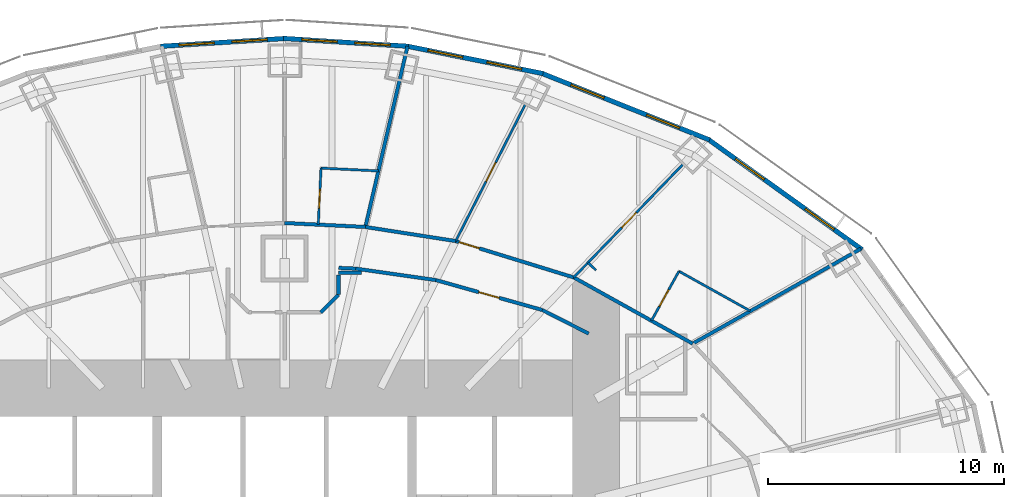
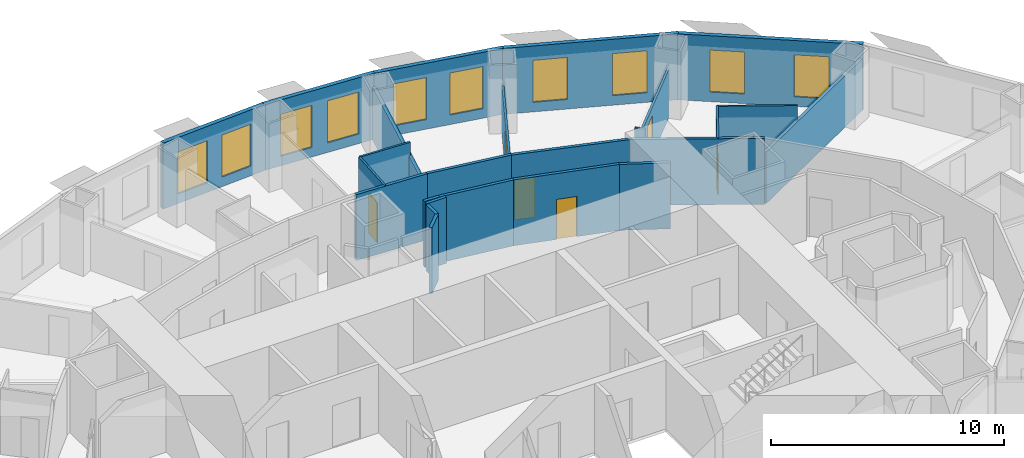
# One storey, part 10 of 15: 25 walls, 10 windows, 6 doors, 16 openings.
"""IFC4 building model written with IfcOpenShell, lengths in metres."""

from ifc_helpers import new_model, si_unit, direction, frame, frame_2d, origin, place, context, subcontext, project, spatial, rectangle, extrude, material, layer, layer_set, type_object, element, fill, save


model = new_model("IFC4")

# Units and contexts
model_context = context("Model", 3, precision=1e-05, world=origin(), true_north=direction((0.0, 1.0)))
body_context = subcontext(model_context, "Body", "Model", "MODEL_VIEW")
ifc_project = project(units=[si_unit("LENGTHUNIT", "METRE"), si_unit("AREAUNIT", "SQUARE_METRE"), si_unit("VOLUMEUNIT", "CUBIC_METRE"), si_unit("PLANEANGLEUNIT", "RADIAN"), si_unit("MASSUNIT", "GRAM", prefix="KILO")], contexts=[model_context])

# Site, building, storey
site_placement = place(None, origin())
site = spatial("IfcSite", under=ifc_project, at=site_placement, CompositionType="ELEMENT")
building_placement = place(site_placement, origin())
building = spatial("IfcBuilding", under=site, at=building_placement, Name="Lantaw Convention Tower", CompositionType="ELEMENT")
storey_placement = place(building_placement, frame((0.0, 0.0, 98.199951171875)))
storey = spatial("IfcBuildingStorey", under=building, at=storey_placement, Name="L23", CompositionType="ELEMENT", Elevation=98.199951171875)

# Walls
ifc_material_1 = material(Name="Gypsum board on steel studs", Category="steel")
ifc_layer_1 = layer(ifc_material_1, 0.14990234375)
ifc_layer_set_1 = layer_set([ifc_layer_1], Name="Back of house wall 150")
wall_type_1 = type_object("IfcWallType", Name="Back of house wall 150", PredefinedType="PARTITIONING", material=ifc_layer_set_1)
wall_1_placement = place(storey_placement, frame((3.2578125, 12.89990234375, 0.0), z_axis=(0.0, 0.0, 1.0), x_axis=(-1.0, 0.0, 0.0)))
element("IfcWall", 1, at=wall_1_placement, inside=storey, type_object=wall_type_1, Name="Back of house wall 150", PredefinedType="PARTITIONING", context=body_context, shape_type="SweptSolid", body=[
    extrude(rectangle(XDim=0.962890625, YDim=0.14990234375, at=frame_2d((0.4814453125, 0.0))), origin(), (0.0, 0.0, 1.0), 3.449951171875),
])
wall_2_placement = place(storey_placement, frame((2.284912109375, 12.796875, 0.0), z_axis=(0.0, 0.0, 1.0), x_axis=(0.0, -1.0, 0.0)))
element("IfcWall", 2, at=wall_2_placement, inside=storey, type_object=wall_type_1, Name="Back of house wall 150", PredefinedType="PARTITIONING", context=body_context, shape_type="SweptSolid", body=[
    extrude(rectangle(XDim=0.8291015625, YDim=0.14990234375, at=frame_2d((0.41455078125, 0.0))), origin(), (0.0, 0.0, 1.0), 3.449951171875),
])
wall_3_placement = place(storey_placement, frame((2.284912109375, 11.9677734375, 0.0), z_axis=(0.0, 0.0, 1.0), x_axis=(-0.707106781187, -0.707106781187, 0.0)))
element("IfcWall", 3, at=wall_3_placement, inside=storey, type_object=wall_type_1, Name="Back of house wall 150", PredefinedType="PARTITIONING", context=body_context, shape_type="SweptSolid", body=[
    extrude(rectangle(XDim=1.064453125, YDim=0.14990234375, at=frame_2d((0.5322265625, 0.0))), origin(), (0.0, 0.0, 1.0), 3.449951171875),
])

# Wall, opening, door
ifc_material_2 = material(Name="Moisture resistant gypsum board on steel studs", Category="steel")
ifc_layer_2 = layer(ifc_material_2, 0.10009765625)
ifc_layer_set_2 = layer_set([ifc_layer_2], Name="Bathroom wall 100")
wall_type_2 = type_object("IfcWallType", Name="Bathroom wall 100", PredefinedType="PARTITIONING", material=ifc_layer_set_2)
wall_4_placement = place(storey_placement, frame((15.5517578125, 10.858154296875, 0.0), z_axis=(0.0, 0.0, 1.0), x_axis=(0.486445964861, 0.873710663361, 0.0)))
wall_4 = element("IfcWall", 4, at=wall_4_placement, inside=storey, type_object=wall_type_2, Name="Bathroom wall 100", PredefinedType="PARTITIONING", context=body_context, shape_type="SweptSolid", body=[
    extrude(rectangle(XDim=2.39990234375, YDim=0.10009765625, at=frame_2d((1.199951171875, 0.0))), origin(), (0.0, 0.0, 1.0), 3.449951171875),
])
opening_1_placement = place(wall_4_placement, frame((0.699951171875, 0.0, 0.0)))
opening_1 = element("IfcOpeningElement", 5, at=opening_1_placement, cuts=wall_4, Name="Opening L23.29", PredefinedType="OPENING", context=body_context, shape_type="SweptSolid", body=[
    extrude(rectangle(XDim=0.800048828125, YDim=2.10009765625, at=frame_2d((0.39990234375, 1.050048828125))), frame((0.0, 0.06005859375, 0.0), z_axis=(0.0, -1.0, 0.0), x_axis=(1.0, 0.0, 0.0)), (0.0, 0.0, 1.0), 0.1201171875),
])
ifc_material_3 = material(Name="Timber", Category="wood")
door_type_1 = type_object("IfcDoorType", Name="Bathroom door 800", OperationType="SINGLE_SWING_LEFT", PredefinedType="DOOR", material=ifc_material_3)
door_1_placement = place(opening_1_placement, origin())
door_1 = element("IfcDoor", 6, at=door_1_placement, inside=storey, type_object=door_type_1, Name="Bathroom door", OperationType="SINGLE_SWING_LEFT", OverallHeight=2.10009765625, OverallWidth=0.800048828125, PredefinedType="DOOR", context=body_context, shape_type="SweptSolid", body=[
    extrude(rectangle(XDim=0.800048828125, YDim=2.10009765625, at=frame_2d((0.39990234375, 1.050048828125))), frame((0.0, 0.02490234375, 0.0), z_axis=(0.0, -1.0, 0.0), x_axis=(1.0, 0.0, 0.0)), (0.0, 0.0, 1.0), 0.050048828125),
])
fill(opening_1, door_1)

# Wall
wall_5_placement = place(storey_placement, frame((16.71923828125, 12.955078125, 0.0), z_axis=(0.0, 0.0, 1.0), x_axis=(0.873676251648, -0.486507766953, 0.0)))
element("IfcWall", 7, at=wall_5_placement, inside=storey, type_object=wall_type_2, Name="Bathroom wall 100", PredefinedType="PARTITIONING", context=body_context, shape_type="SweptSolid", body=[
    extrude(rectangle(XDim=3.450439453125, YDim=0.10009765625, at=frame_2d((1.72509765625, 0.0))), origin(), (0.0, 0.0, 1.0), 3.449951171875),
])

# Wall, opening, door
wall_6_placement = place(storey_placement, frame((1.4267578125, 14.930419921875, 0.0), z_axis=(0.0, 0.0, 1.0), x_axis=(0.048831470304, 0.998807032168, 0.0)))
wall_6 = element("IfcWall", 8, at=wall_6_placement, inside=storey, type_object=wall_type_2, Name="Bathroom wall 100", PredefinedType="PARTITIONING", context=body_context, shape_type="SweptSolid", body=[
    extrude(rectangle(XDim=2.39990234375, YDim=0.10009765625, at=frame_2d((1.199951171875, 0.0))), origin(), (0.0, 0.0, 1.0), 3.449951171875),
])
opening_2_placement = place(wall_6_placement, frame((0.699951171875, 0.0, 0.0)))
opening_2 = element("IfcOpeningElement", 9, at=opening_2_placement, cuts=wall_6, Name="Opening L23.33", PredefinedType="OPENING", context=body_context, shape_type="SweptSolid", body=[
    extrude(rectangle(XDim=0.800048828125, YDim=2.10009765625, at=frame_2d((0.39990234375, 1.050048828125))), frame((0.0, 0.06005859375, 0.0), z_axis=(0.0, -1.0, 0.0), x_axis=(1.0, 0.0, 0.0)), (0.0, 0.0, 1.0), 0.1201171875),
])
door_2_placement = place(opening_2_placement, origin())
door_2 = element("IfcDoor", 10, at=door_2_placement, inside=storey, type_object=door_type_1, Name="Bathroom door", OperationType="SINGLE_SWING_LEFT", OverallHeight=2.10009765625, OverallWidth=0.800048828125, PredefinedType="DOOR", context=body_context, shape_type="SweptSolid", body=[
    extrude(rectangle(XDim=0.800048828125, YDim=2.10009765625, at=frame_2d((0.39990234375, 1.050048828125))), frame((0.0, 0.02490234375, 0.0), z_axis=(0.0, -1.0, 0.0), x_axis=(1.0, 0.0, 0.0)), (0.0, 0.0, 1.0), 0.050048828125),
])
fill(opening_2, door_2)

# Walls
wall_7_placement = place(storey_placement, frame((1.5439453125, 17.327392578125, 0.0), z_axis=(0.0, 0.0, 1.0), x_axis=(0.998813899717, -0.048690797202, 0.0)))
element("IfcWall", 11, at=wall_7_placement, inside=storey, type_object=wall_type_2, Name="Bathroom wall 100", PredefinedType="PARTITIONING", context=body_context, shape_type="SweptSolid", body=[
    extrude(rectangle(XDim=2.431884765625, YDim=0.10009765625, at=frame_2d((1.2158203125, 0.0))), origin(), (0.0, 0.0, 1.0), 3.449951171875),
])
ifc_material_4 = material(Name="Gypsum board on steel studs, fire rated", Category="steel")
ifc_layer_3 = layer(ifc_material_4, 0.14990234375)
ifc_layer_set_3 = layer_set([ifc_layer_3], Name="Corridor wall 150 EI 60")
wall_type_3 = type_object("IfcWallType", Name="Corridor wall 150 EI 60", PredefinedType="PARTITIONING", material=ifc_layer_set_3)
wall_8_placement = place(storey_placement, frame((17.299072265625, 9.88525390625, 0.0), z_axis=(0.0, 0.0, 1.0), x_axis=(-0.873695910579, 0.486472461541, 0.0)))
element("IfcWall", 12, at=wall_8_placement, inside=storey, type_object=wall_type_3, Name="Corridor wall 150", PredefinedType="PARTITIONING", context=body_context, shape_type="SweptSolid", body=[
    extrude(rectangle(XDim=5.77099609375, YDim=0.14990234375, at=frame_2d((2.885498046875, 0.0))), origin(), (0.0, 0.0, 1.0), 3.449951171875),
])

# Wall, opening, door
wall_9_placement = place(storey_placement, frame((12.257080078125, 12.692626953125, 0.0), z_axis=(0.0, 0.0, 1.0), x_axis=(-0.955657956744, 0.294478980085, 0.0)))
wall_9 = element("IfcWall", 13, at=wall_9_placement, inside=storey, type_object=wall_type_3, Name="Corridor wall 150", PredefinedType="PARTITIONING", context=body_context, shape_type="SweptSolid", body=[
    extrude(rectangle(XDim=5.236328125, YDim=0.14990234375, at=frame_2d((2.6181640625, 0.0))), origin(), (0.0, 0.0, 1.0), 3.449951171875),
])
opening_3_placement = place(wall_9_placement, frame((4.186279296875, 0.0, 0.0)))
opening_3 = element("IfcOpeningElement", 14, at=opening_3_placement, cuts=wall_9, Name="Opening L23.32", PredefinedType="OPENING", context=body_context, shape_type="SweptSolid", body=[
    extrude(rectangle(XDim=0.89990234375, YDim=2.10009765625, at=frame_2d((0.449951171875, 1.050048828125))), frame((0.0, 0.0849609375, 0.0), z_axis=(0.0, -1.0, 0.0), x_axis=(1.0, 0.0, 0.0)), (0.0, 0.0, 1.0), 0.169921875),
])
ifc_material_5 = material(Name="Steel, fire rated", Category="steel")
door_type_2 = type_object("IfcDoorType", Name="Guest room entrance door FD30S", OperationType="SINGLE_SWING_LEFT", PredefinedType="DOOR", material=ifc_material_5)
door_3_placement = place(opening_3_placement, origin())
door_3 = element("IfcDoor", 15, at=door_3_placement, inside=storey, type_object=door_type_2, Name="Suite entrance door", OperationType="SINGLE_SWING_LEFT", OverallHeight=2.10009765625, OverallWidth=0.89990234375, PredefinedType="DOOR", context=body_context, shape_type="SweptSolid", body=[
    extrude(rectangle(XDim=0.89990234375, YDim=2.10009765625, at=frame_2d((0.449951171875, 1.050048828125))), frame((0.0, 0.02490234375, 0.0), z_axis=(0.0, -1.0, 0.0), x_axis=(1.0, 0.0, 0.0)), (0.0, 0.0, 1.0), 0.050048828125),
])
fill(opening_3, door_3)

# Walls
wall_10_placement = place(storey_placement, frame((7.2529296875, 14.234619140625, 0.0), z_axis=(0.0, 0.0, 1.0), x_axis=(-0.988015036573, 0.154357660987, 0.0)))
element("IfcWall", 16, at=wall_10_placement, inside=storey, type_object=wall_type_3, Name="Corridor wall 150", PredefinedType="PARTITIONING", context=body_context, shape_type="SweptSolid", body=[
    extrude(rectangle(XDim=3.875, YDim=0.14990234375, at=frame_2d((1.9375, 0.0))), origin(), (0.0, 0.0, 1.0), 3.449951171875),
])
wall_11_placement = place(storey_placement, frame((3.42431640625, 14.832763671875, 0.0), z_axis=(0.0, 0.0, 1.0), x_axis=(-0.998809560203, 0.048779733975, 0.0)))
element("IfcWall", 17, at=wall_11_placement, inside=storey, type_object=wall_type_3, Name="Corridor wall 150", PredefinedType="PARTITIONING", context=body_context, shape_type="SweptSolid", body=[
    extrude(rectangle(XDim=3.428466796875, YDim=0.14990234375, at=frame_2d((1.71435546875, 0.0))), origin(), (0.0, 0.0, 1.0), 3.449951171875),
])

# Wall, opening, door
wall_12_placement = place(storey_placement, frame((10.92431640625, 11.3125, 0.0), z_axis=(0.0, 0.0, 1.0), x_axis=(-0.962643729928, 0.270771211967, 0.0)))
wall_12 = element("IfcWall", 18, at=wall_12_placement, inside=storey, type_object=wall_type_3, Name="Corridor wall 150", PredefinedType="PARTITIONING", context=body_context, shape_type="SweptSolid", body=[
    extrude(rectangle(XDim=4.6884765625, YDim=0.14990234375, at=frame_2d((2.34423828125, 0.0))), origin(), (0.0, 0.0, 1.0), 3.449951171875),
])
opening_4_placement = place(wall_12_placement, frame((1.894287109375, 0.0, 0.0)))
opening_4 = element("IfcOpeningElement", 19, at=opening_4_placement, cuts=wall_12, Name="Opening L23.16", PredefinedType="OPENING", context=body_context, shape_type="SweptSolid", body=[
    extrude(rectangle(XDim=0.89990234375, YDim=2.10009765625, at=frame_2d((0.449951171875, 1.050048828125))), frame((0.0, 0.0849609375, 0.0), z_axis=(0.0, -1.0, 0.0), x_axis=(1.0, 0.0, 0.0)), (0.0, 0.0, 1.0), 0.169921875),
])
door_type_3 = type_object("IfcDoorType", Name="Service door 900 FD30", OperationType="SINGLE_SWING_LEFT", PredefinedType="DOOR", material=ifc_material_5)
door_4_placement = place(opening_4_placement, origin())
door_4 = element("IfcDoor", 20, at=door_4_placement, inside=storey, type_object=door_type_3, Name="Linen store room door", OperationType="SINGLE_SWING_LEFT", OverallHeight=2.10009765625, OverallWidth=0.89990234375, PredefinedType="DOOR", context=body_context, shape_type="SweptSolid", body=[
    extrude(rectangle(XDim=0.89990234375, YDim=2.10009765625, at=frame_2d((0.449951171875, 1.050048828125))), frame((0.0, 0.02490234375, 0.0), z_axis=(0.0, -1.0, 0.0), x_axis=(1.0, 0.0, 0.0)), (0.0, 0.0, 1.0), 0.050048828125),
])
fill(opening_4, door_4)

# Walls
wall_13_placement = place(storey_placement, frame((6.410888671875, 12.58203125, 0.0), z_axis=(0.0, 0.0, 1.0), x_axis=(-0.990002114939, 0.14105251652, 0.0)))
element("IfcWall", 21, at=wall_13_placement, inside=storey, type_object=wall_type_3, Name="Corridor wall 150", PredefinedType="PARTITIONING", context=body_context, shape_type="SweptSolid", body=[
    extrude(rectangle(XDim=3.4287109375, YDim=0.14990234375, at=frame_2d((1.71435546875, 0.0))), origin(), (0.0, 0.0, 1.0), 3.449951171875),
])
wall_14_placement = place(storey_placement, frame((3.016357421875, 13.065673828125, 0.0), z_axis=(0.0, 0.0, 1.0), x_axis=(-0.999003783932, 0.044625549739, 0.0)))
element("IfcWall", 22, at=wall_14_placement, inside=storey, type_object=wall_type_3, Name="Corridor wall 150", PredefinedType="PARTITIONING", context=body_context, shape_type="SweptSolid", body=[
    extrude(rectangle(XDim=0.72216796875, YDim=0.14990234375, at=frame_2d((0.361083984375, 0.0))), origin(), (0.0, 0.0, 1.0), 3.449951171875),
])
wall_15_placement = place(storey_placement, frame((12.889892578125, 10.31298828125, 0.0), z_axis=(0.0, 0.0, 1.0), x_axis=(-0.891372999417, 0.453270532805, 0.0)))
element("IfcWall", 23, at=wall_15_placement, inside=storey, type_object=wall_type_3, Name="Corridor wall 150", PredefinedType="PARTITIONING", context=body_context, shape_type="SweptSolid", body=[
    extrude(rectangle(XDim=2.205078125, YDim=0.14990234375, at=frame_2d((1.1025390625, 0.0))), origin(), (0.0, 0.0, 1.0), 3.449951171875),
])

# Wall, openings, windows
ifc_material_6 = material(Name="Insulated aluminium panel on steel frame", Category="steel")
ifc_layer_4 = layer(ifc_material_6, 0.199951171875)
ifc_layer_set_4 = layer_set([ifc_layer_4], Name="External wall 200")
wall_type_4 = type_object("IfcWallType", Name="External wall 200", PredefinedType="SOLIDWALL", material=ifc_layer_set_4)
wall_16_placement = place(storey_placement, frame((24.482421875, 13.87451171875, 0.0), z_axis=(0.0, 0.0, 1.0), x_axis=(-0.812791321576, 0.582554948112, 0.0)))
wall_16 = element("IfcWall", 24, at=wall_16_placement, inside=storey, type_object=wall_type_4, Name="Facade panel wall", PredefinedType="SOLIDWALL", context=body_context, shape_type="SweptSolid", body=[
    extrude(rectangle(XDim=8.063232421875, YDim=0.199951171875, at=frame_2d((4.03173828125, 0.0))), origin(), (0.0, 0.0, 1.0), 3.449951171875),
])
opening_5_placement = place(wall_16_placement, frame((1.4658203125, 0.0, 0.5)))
opening_5 = element("IfcOpeningElement", 25, at=opening_5_placement, cuts=wall_16, Name="Opening W2", PredefinedType="OPENING", context=body_context, shape_type="SweptSolid", body=[
    extrude(rectangle(XDim=1.5, YDim=2.199951171875, at=frame_2d((0.75, 1.10009765625))), frame((0.0, 0.10986328125, 0.0), z_axis=(0.0, -1.0, 0.0), x_axis=(1.0, 0.0, 0.0)), (0.0, 0.0, 1.0), 0.219970703125),
])
opening_6_placement = place(wall_16_placement, frame((5.097412109375, 0.0, 0.5)))
opening_6 = element("IfcOpeningElement", 26, at=opening_6_placement, cuts=wall_16, Name="Opening W2", PredefinedType="OPENING", context=body_context, shape_type="SweptSolid", body=[
    extrude(rectangle(XDim=1.5, YDim=2.199951171875, at=frame_2d((0.75, 1.10009765625))), frame((0.0, 0.10986328125, 0.0), z_axis=(0.0, -1.0, 0.0), x_axis=(1.0, 0.0, 0.0)), (0.0, 0.0, 1.0), 0.219970703125),
])
ifc_material_7 = material(Name="Aluminium frame, clear insulating glass", Category="aluminium")
window_type = type_object("IfcWindowType", Name="Suite window 1500x2200", PartitioningType="SINGLE_PANEL", PredefinedType="WINDOW", material=ifc_material_7)
window_1_placement = place(opening_5_placement, origin())
window_1 = element("IfcWindow", 27, at=window_1_placement, inside=storey, type_object=window_type, Name="Guest room window", OverallHeight=2.199951171875, OverallWidth=1.5, PartitioningType="SINGLE_PANEL", PredefinedType="WINDOW", context=body_context, shape_type="SweptSolid", body=[
    extrude(rectangle(XDim=1.5, YDim=2.199951171875, at=frame_2d((0.75, 1.10009765625))), frame((0.0, 0.030029296875, 0.0), z_axis=(0.0, -1.0, 0.0), x_axis=(1.0, 0.0, 0.0)), (0.0, 0.0, 1.0), 0.06005859375),
])
fill(opening_5, window_1)
window_2_placement = place(opening_6_placement, origin())
window_2 = element("IfcWindow", 28, at=window_2_placement, inside=storey, type_object=window_type, Name="Guest room window", OverallHeight=2.199951171875, OverallWidth=1.5, PartitioningType="SINGLE_PANEL", PredefinedType="WINDOW", context=body_context, shape_type="SweptSolid", body=[
    extrude(rectangle(XDim=1.5, YDim=2.199951171875, at=frame_2d((0.75, 1.10009765625))), frame((0.0, 0.030029296875, 0.0), z_axis=(0.0, -1.0, 0.0), x_axis=(1.0, 0.0, 0.0)), (0.0, 0.0, 1.0), 0.06005859375),
])
fill(opening_6, window_2)

wall_17_placement = place(storey_placement, frame((18.018310546875, 18.522705078125, 0.0), z_axis=(0.0, 0.0, 1.0), x_axis=(-0.929358351251, 0.369178892895, 0.0)))
wall_17 = element("IfcWall", 29, at=wall_17_placement, inside=storey, type_object=wall_type_4, Name="Facade panel wall", PredefinedType="SOLIDWALL", context=body_context, shape_type="SweptSolid", body=[
    extrude(rectangle(XDim=7.6923828125, YDim=0.199951171875, at=frame_2d((3.84619140625, 0.0))), origin(), (0.0, 0.0, 1.0), 3.449951171875),
])
opening_7_placement = place(wall_17_placement, frame((1.373046875, 0.0, 0.5)))
opening_7 = element("IfcOpeningElement", 30, at=opening_7_placement, cuts=wall_17, Name="Opening W2", PredefinedType="OPENING", context=body_context, shape_type="SweptSolid", body=[
    extrude(rectangle(XDim=1.5, YDim=2.199951171875, at=frame_2d((0.75, 1.10009765625))), frame((0.0, 0.10986328125, 0.0), z_axis=(0.0, -1.0, 0.0), x_axis=(1.0, 0.0, 0.0)), (0.0, 0.0, 1.0), 0.219970703125),
])
opening_8_placement = place(wall_17_placement, frame((4.819091796875, 0.0, 0.5)))
opening_8 = element("IfcOpeningElement", 31, at=opening_8_placement, cuts=wall_17, Name="Opening W2", PredefinedType="OPENING", context=body_context, shape_type="SweptSolid", body=[
    extrude(rectangle(XDim=1.5, YDim=2.199951171875, at=frame_2d((0.75, 1.10009765625))), frame((0.0, 0.10986328125, 0.0), z_axis=(0.0, -1.0, 0.0), x_axis=(1.0, 0.0, 0.0)), (0.0, 0.0, 1.0), 0.219970703125),
])
window_3_placement = place(opening_7_placement, origin())
window_3 = element("IfcWindow", 32, at=window_3_placement, inside=storey, type_object=window_type, Name="Guest room window", OverallHeight=2.199951171875, OverallWidth=1.5, PartitioningType="SINGLE_PANEL", PredefinedType="WINDOW", context=body_context, shape_type="SweptSolid", body=[
    extrude(rectangle(XDim=1.5, YDim=2.199951171875, at=frame_2d((0.75, 1.10009765625))), frame((0.0, 0.030029296875, 0.0), z_axis=(0.0, -1.0, 0.0), x_axis=(1.0, 0.0, 0.0)), (0.0, 0.0, 1.0), 0.06005859375),
])
fill(opening_7, window_3)
window_4_placement = place(opening_8_placement, origin())
window_4 = element("IfcWindow", 33, at=window_4_placement, inside=storey, type_object=window_type, Name="Guest room window", OverallHeight=2.199951171875, OverallWidth=1.5, PartitioningType="SINGLE_PANEL", PredefinedType="WINDOW", context=body_context, shape_type="SweptSolid", body=[
    extrude(rectangle(XDim=1.5, YDim=2.199951171875, at=frame_2d((0.75, 1.10009765625))), frame((0.0, 0.030029296875, 0.0), z_axis=(0.0, -1.0, 0.0), x_axis=(1.0, 0.0, 0.0)), (0.0, 0.0, 1.0), 0.06005859375),
])
fill(opening_8, window_4)

wall_18_placement = place(storey_placement, frame((10.956787109375, 21.336669921875, 0.0), z_axis=(0.0, 0.0, 1.0), x_axis=(-0.980251657452, 0.197754110105, 0.0)))
wall_18 = element("IfcWall", 34, at=wall_18_placement, inside=storey, type_object=wall_type_4, Name="Facade panel wall", PredefinedType="SOLIDWALL", context=body_context, shape_type="SweptSolid", body=[
    extrude(rectangle(XDim=5.90380859375, YDim=0.199951171875, at=frame_2d((2.951904296875, 0.0))), origin(), (0.0, 0.0, 1.0), 3.449951171875),
])
opening_9_placement = place(wall_18_placement, frame((0.92578125, 0.0, 0.5)))
opening_9 = element("IfcOpeningElement", 35, at=opening_9_placement, cuts=wall_18, Name="Opening W2", PredefinedType="OPENING", context=body_context, shape_type="SweptSolid", body=[
    extrude(rectangle(XDim=1.5, YDim=2.199951171875, at=frame_2d((0.75, 1.10009765625))), frame((0.0, 0.10986328125, 0.0), z_axis=(0.0, -1.0, 0.0), x_axis=(1.0, 0.0, 0.0)), (0.0, 0.0, 1.0), 0.219970703125),
])
opening_10_placement = place(wall_18_placement, frame((3.477783203125, 0.0, 0.5)))
opening_10 = element("IfcOpeningElement", 36, at=opening_10_placement, cuts=wall_18, Name="Opening W2", PredefinedType="OPENING", context=body_context, shape_type="SweptSolid", body=[
    extrude(rectangle(XDim=1.5, YDim=2.199951171875, at=frame_2d((0.75, 1.10009765625))), frame((0.0, 0.10986328125, 0.0), z_axis=(0.0, -1.0, 0.0), x_axis=(1.0, 0.0, 0.0)), (0.0, 0.0, 1.0), 0.219970703125),
])
window_5_placement = place(opening_9_placement, origin())
window_5 = element("IfcWindow", 37, at=window_5_placement, inside=storey, type_object=window_type, Name="Guest room window", OverallHeight=2.199951171875, OverallWidth=1.5, PartitioningType="SINGLE_PANEL", PredefinedType="WINDOW", context=body_context, shape_type="SweptSolid", body=[
    extrude(rectangle(XDim=1.5, YDim=2.199951171875, at=frame_2d((0.75, 1.10009765625))), frame((0.0, 0.030029296875, 0.0), z_axis=(0.0, -1.0, 0.0), x_axis=(1.0, 0.0, 0.0)), (0.0, 0.0, 1.0), 0.06005859375),
])
fill(opening_9, window_5)
window_6_placement = place(opening_10_placement, origin())
window_6 = element("IfcWindow", 38, at=window_6_placement, inside=storey, type_object=window_type, Name="Guest room window", OverallHeight=2.199951171875, OverallWidth=1.5, PartitioningType="SINGLE_PANEL", PredefinedType="WINDOW", context=body_context, shape_type="SweptSolid", body=[
    extrude(rectangle(XDim=1.5, YDim=2.199951171875, at=frame_2d((0.75, 1.10009765625))), frame((0.0, 0.030029296875, 0.0), z_axis=(0.0, -1.0, 0.0), x_axis=(1.0, 0.0, 0.0)), (0.0, 0.0, 1.0), 0.06005859375),
])
fill(opening_10, window_6)

wall_19_placement = place(storey_placement, frame((5.252685546875, 22.493408203125, 0.0), z_axis=(0.0, 0.0, 1.0), x_axis=(-0.998018582375, 0.062919863585, 0.0)))
wall_19 = element("IfcWall", 39, at=wall_19_placement, inside=storey, type_object=wall_type_4, Name="Facade panel wall", PredefinedType="SOLIDWALL", context=body_context, shape_type="SweptSolid", body=[
    extrude(rectangle(XDim=5.30419921875, YDim=0.199951171875, at=frame_2d((2.652099609375, 0.0))), origin(), (0.0, 0.0, 1.0), 3.449951171875),
])
opening_11_placement = place(wall_19_placement, frame((0.77587890625, 0.0, 0.5)))
opening_11 = element("IfcOpeningElement", 40, at=opening_11_placement, cuts=wall_19, Name="Opening W2", PredefinedType="OPENING", context=body_context, shape_type="SweptSolid", body=[
    extrude(rectangle(XDim=1.5, YDim=2.199951171875, at=frame_2d((0.75, 1.10009765625))), frame((0.0, 0.10986328125, 0.0), z_axis=(0.0, -1.0, 0.0), x_axis=(1.0, 0.0, 0.0)), (0.0, 0.0, 1.0), 0.219970703125),
])
opening_12_placement = place(wall_19_placement, frame((3.028076171875, 0.0, 0.5)))
opening_12 = element("IfcOpeningElement", 41, at=opening_12_placement, cuts=wall_19, Name="Opening W2", PredefinedType="OPENING", context=body_context, shape_type="SweptSolid", body=[
    extrude(rectangle(XDim=1.5, YDim=2.199951171875, at=frame_2d((0.75, 1.10009765625))), frame((0.0, 0.10986328125, 0.0), z_axis=(0.0, -1.0, 0.0), x_axis=(1.0, 0.0, 0.0)), (0.0, 0.0, 1.0), 0.219970703125),
])
window_7_placement = place(opening_11_placement, origin())
window_7 = element("IfcWindow", 42, at=window_7_placement, inside=storey, type_object=window_type, Name="Guest room window", OverallHeight=2.199951171875, OverallWidth=1.5, PartitioningType="SINGLE_PANEL", PredefinedType="WINDOW", context=body_context, shape_type="SweptSolid", body=[
    extrude(rectangle(XDim=1.5, YDim=2.199951171875, at=frame_2d((0.75, 1.10009765625))), frame((0.0, 0.030029296875, 0.0), z_axis=(0.0, -1.0, 0.0), x_axis=(1.0, 0.0, 0.0)), (0.0, 0.0, 1.0), 0.06005859375),
])
fill(opening_11, window_7)
window_8_placement = place(opening_12_placement, origin())
window_8 = element("IfcWindow", 43, at=window_8_placement, inside=storey, type_object=window_type, Name="Guest room window", OverallHeight=2.199951171875, OverallWidth=1.5, PartitioningType="SINGLE_PANEL", PredefinedType="WINDOW", context=body_context, shape_type="SweptSolid", body=[
    extrude(rectangle(XDim=1.5, YDim=2.199951171875, at=frame_2d((0.75, 1.10009765625))), frame((0.0, 0.030029296875, 0.0), z_axis=(0.0, -1.0, 0.0), x_axis=(1.0, 0.0, 0.0)), (0.0, 0.0, 1.0), 0.06005859375),
])
fill(opening_12, window_8)

wall_20_placement = place(storey_placement, frame((0.041015625, 22.8271484375, 0.0), z_axis=(0.0, 0.0, 1.0), x_axis=(-0.998018582375, -0.062919863585, 0.0)))
wall_20 = element("IfcWall", 44, at=wall_20_placement, inside=storey, type_object=wall_type_4, Name="Facade panel wall", PredefinedType="SOLIDWALL", context=body_context, shape_type="SweptSolid", body=[
    extrude(rectangle(XDim=5.30419921875, YDim=0.199951171875, at=frame_2d((2.652099609375, 0.0))), origin(), (0.0, 0.0, 1.0), 3.449951171875),
])
opening_13_placement = place(wall_20_placement, frame((0.77587890625, 0.0, 0.5)))
opening_13 = element("IfcOpeningElement", 45, at=opening_13_placement, cuts=wall_20, Name="Opening W2", PredefinedType="OPENING", context=body_context, shape_type="SweptSolid", body=[
    extrude(rectangle(XDim=1.5, YDim=2.199951171875, at=frame_2d((0.75, 1.10009765625))), frame((0.0, 0.10986328125, 0.0), z_axis=(0.0, -1.0, 0.0), x_axis=(1.0, 0.0, 0.0)), (0.0, 0.0, 1.0), 0.219970703125),
])
opening_14_placement = place(wall_20_placement, frame((3.028076171875, 0.0, 0.5)))
opening_14 = element("IfcOpeningElement", 46, at=opening_14_placement, cuts=wall_20, Name="Opening W2", PredefinedType="OPENING", context=body_context, shape_type="SweptSolid", body=[
    extrude(rectangle(XDim=1.5, YDim=2.199951171875, at=frame_2d((0.75, 1.10009765625))), frame((0.0, 0.10986328125, 0.0), z_axis=(0.0, -1.0, 0.0), x_axis=(1.0, 0.0, 0.0)), (0.0, 0.0, 1.0), 0.219970703125),
])
window_9_placement = place(opening_13_placement, origin())
window_9 = element("IfcWindow", 47, at=window_9_placement, inside=storey, type_object=window_type, Name="Guest room window", OverallHeight=2.199951171875, OverallWidth=1.5, PartitioningType="SINGLE_PANEL", PredefinedType="WINDOW", context=body_context, shape_type="SweptSolid", body=[
    extrude(rectangle(XDim=1.5, YDim=2.199951171875, at=frame_2d((0.75, 1.10009765625))), frame((0.0, 0.030029296875, 0.0), z_axis=(0.0, -1.0, 0.0), x_axis=(1.0, 0.0, 0.0)), (0.0, 0.0, 1.0), 0.06005859375),
])
fill(opening_13, window_9)
window_10_placement = place(opening_14_placement, origin())
window_10 = element("IfcWindow", 48, at=window_10_placement, inside=storey, type_object=window_type, Name="Guest room window", OverallHeight=2.199951171875, OverallWidth=1.5, PartitioningType="SINGLE_PANEL", PredefinedType="WINDOW", context=body_context, shape_type="SweptSolid", body=[
    extrude(rectangle(XDim=1.5, YDim=2.199951171875, at=frame_2d((0.75, 1.10009765625))), frame((0.0, 0.030029296875, 0.0), z_axis=(0.0, -1.0, 0.0), x_axis=(1.0, 0.0, 0.0)), (0.0, 0.0, 1.0), 0.06005859375),
])
fill(opening_14, window_10)

# Walls
ifc_material_8 = material(Name="Gypsum board on steel studs, acoustic", Category="steel")
ifc_layer_5 = layer(ifc_material_8, 0.14990234375)
ifc_layer_set_5 = layer_set([ifc_layer_5], Name="Guest room party wall 150")
wall_type_5 = type_object("IfcWallType", Name="Guest room party wall 150", PredefinedType="PARTITIONING", material=ifc_layer_set_5)
wall_21_placement = place(storey_placement, frame((24.434814453125, 13.90869140625, 0.0), z_axis=(0.0, 0.0, 1.0), x_axis=(-0.871075246657, -0.491149584813, 0.0)))
element("IfcWall", 49, at=wall_21_placement, inside=storey, type_object=wall_type_5, Name="Guest room party wall 150", PredefinedType="PARTITIONING", context=body_context, shape_type="SweptSolid", body=[
    extrude(rectangle(XDim=8.19189453125, YDim=0.14990234375, at=frame_2d((4.095947265625, 0.0))), origin(), (0.0, 0.0, 1.0), 2.693115234375),
])
wall_22_placement = place(storey_placement, frame((5.2109375, 22.495849609375, 0.0), z_axis=(0.0, 0.0, 1.0), x_axis=(-0.227056984461, -0.973881474209, 0.0)))
element("IfcWall", 50, at=wall_22_placement, inside=storey, type_object=wall_type_5, Name="Guest room party wall 150", PredefinedType="PARTITIONING", context=body_context, shape_type="SweptSolid", body=[
    extrude(rectangle(XDim=7.86865234375, YDim=0.14990234375, at=frame_2d((3.934326171875, 0.0))), origin(), (0.0, 0.0, 1.0), 2.766845703125),
])
ifc_layer_6 = layer(ifc_material_8, 0.10009765625)
ifc_layer_set_6 = layer_set([ifc_layer_6], Name="Office partition 100")
wall_type_6 = type_object("IfcWallType", Name="Office partition 100", PredefinedType="PARTITIONING", material=ifc_layer_set_6)
wall_23_placement = place(storey_placement, frame((13.199951171875, 13.0, 0.0), z_axis=(0.0, 0.0, 1.0), x_axis=(-0.719347134512, 0.69465077562, 0.0)))
element("IfcWall", 51, at=wall_23_placement, inside=storey, type_object=wall_type_6, Name="Office partition 100", PredefinedType="PARTITIONING", context=body_context, shape_type="SweptSolid", body=[
    extrude(rectangle(XDim=0.464599609375, YDim=0.10009765625, at=frame_2d((0.232421875, 0.0))), origin(), (0.0, 0.0, 1.0), 3.449951171875),
])

# Wall, opening, door
ifc_layer_7 = layer(ifc_material_1, 0.10009765625)
ifc_layer_set_7 = layer_set([ifc_layer_7], Name="Suite partition 100")
wall_type_7 = type_object("IfcWallType", Name="Suite partition 100", PredefinedType="PARTITIONING", material=ifc_layer_set_7)
wall_24_placement = place(storey_placement, frame((16.943603515625, 17.54541015625, 0.0), z_axis=(0.0, 0.0, 1.0), x_axis=(-0.694677175107, -0.719321640426, 0.0)))
wall_24 = element("IfcWall", 52, at=wall_24_placement, inside=storey, type_object=wall_type_7, Name="Suite partition 100", PredefinedType="PARTITIONING", context=body_context, shape_type="SweptSolid", body=[
    extrude(rectangle(XDim=6.746337890625, YDim=0.10009765625, at=frame_2d((3.373046875, 0.0))), origin(), (0.0, 0.0, 1.0), 2.528076171875),
])
opening_15_placement = place(wall_24_placement, frame((2.923095703125, 0.0, 0.0)))
opening_15 = element("IfcOpeningElement", 53, at=opening_15_placement, cuts=wall_24, Name="Opening L23.30", PredefinedType="OPENING", context=body_context, shape_type="SweptSolid", body=[
    extrude(rectangle(XDim=0.89990234375, YDim=2.10009765625, at=frame_2d((0.449951171875, 1.050048828125))), frame((0.0, 0.06005859375, 0.0), z_axis=(0.0, -1.0, 0.0), x_axis=(1.0, 0.0, 0.0)), (0.0, 0.0, 1.0), 0.1201171875),
])
door_type_4 = type_object("IfcDoorType", Name="Suite door 900", OperationType="SINGLE_SWING_LEFT", PredefinedType="DOOR", material=ifc_material_3)
door_5_placement = place(opening_15_placement, origin())
door_5 = element("IfcDoor", 54, at=door_5_placement, inside=storey, type_object=door_type_4, Name="Bedroom door", OperationType="SINGLE_SWING_LEFT", OverallHeight=2.10009765625, OverallWidth=0.89990234375, PredefinedType="DOOR", context=body_context, shape_type="SweptSolid", body=[
    extrude(rectangle(XDim=0.89990234375, YDim=2.10009765625, at=frame_2d((0.449951171875, 1.050048828125))), frame((0.0, 0.02490234375, 0.0), z_axis=(0.0, -1.0, 0.0), x_axis=(1.0, 0.0, 0.0)), (0.0, 0.0, 1.0), 0.050048828125),
])
fill(opening_15, door_5)

wall_25_placement = place(storey_placement, frame((10.235595703125, 20.08837890625, 0.0), z_axis=(0.0, 0.0, 1.0), x_axis=(-0.453993694696, -0.89100489627, 0.0)))
wall_25 = element("IfcWall", 55, at=wall_25_placement, inside=storey, type_object=wall_type_7, Name="Suite partition 100", PredefinedType="PARTITIONING", context=body_context, shape_type="SweptSolid", body=[
    extrude(rectangle(XDim=6.56982421875, YDim=0.10009765625, at=frame_2d((3.284912109375, 0.0))), origin(), (0.0, 0.0, 1.0), 2.528076171875),
])
opening_16_placement = place(wall_25_placement, frame((2.8349609375, 0.0, 0.0)))
opening_16 = element("IfcOpeningElement", 56, at=opening_16_placement, cuts=wall_25, Name="Opening L23.31", PredefinedType="OPENING", context=body_context, shape_type="SweptSolid", body=[
    extrude(rectangle(XDim=0.89990234375, YDim=2.10009765625, at=frame_2d((0.449951171875, 1.050048828125))), frame((0.0, 0.06005859375, 0.0), z_axis=(0.0, -1.0, 0.0), x_axis=(1.0, 0.0, 0.0)), (0.0, 0.0, 1.0), 0.1201171875),
])
door_6_placement = place(opening_16_placement, origin())
door_6 = element("IfcDoor", 57, at=door_6_placement, inside=storey, type_object=door_type_4, Name="Kitchenette door", OperationType="SINGLE_SWING_LEFT", OverallHeight=2.10009765625, OverallWidth=0.89990234375, PredefinedType="DOOR", context=body_context, shape_type="SweptSolid", body=[
    extrude(rectangle(XDim=0.89990234375, YDim=2.10009765625, at=frame_2d((0.449951171875, 1.050048828125))), frame((0.0, 0.02490234375, 0.0), z_axis=(0.0, -1.0, 0.0), x_axis=(1.0, 0.0, 0.0)), (0.0, 0.0, 1.0), 0.050048828125),
])
fill(opening_16, door_6)

save(model, "model.ifc")
